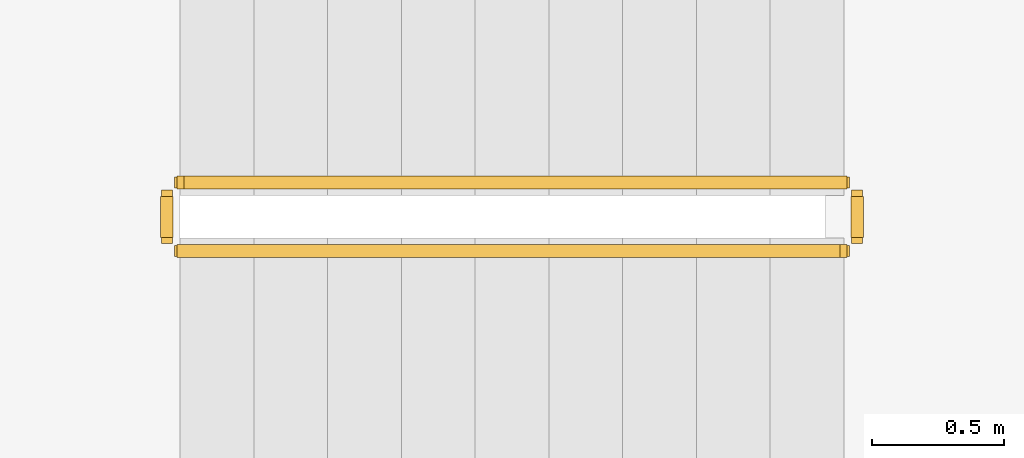
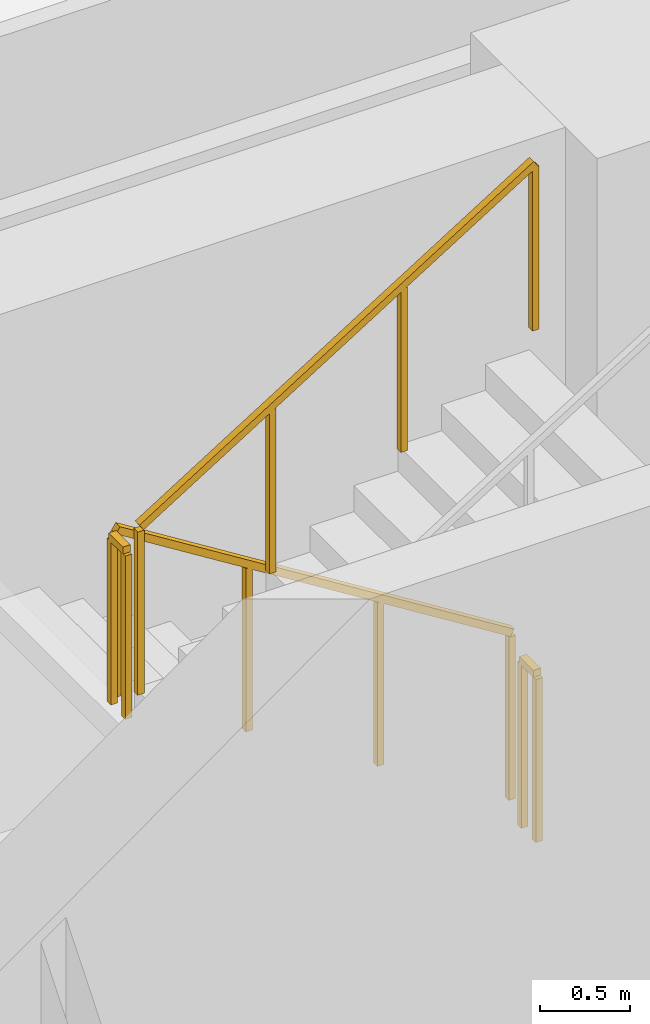
# One storey, part 12 of 14: 4 railings.
"""IFC4 building model written with IfcOpenShell, lengths in metres."""

from ifc_helpers import new_model, si_unit, direction, frame, origin, origin_2d, place, context, subcontext, project, spatial, rectangle, extrude, material, type_object, element, save


model = new_model("IFC4")

# Units and contexts
model_context = context("Model", 3, precision=1e-05, world=origin(), true_north=direction((0.0, 1.0)))
body_context = subcontext(model_context, "Body", "Model", "MODEL_VIEW")
ifc_project = project(units=[si_unit("LENGTHUNIT", "METRE"), si_unit("AREAUNIT", "SQUARE_METRE"), si_unit("VOLUMEUNIT", "CUBIC_METRE"), si_unit("PLANEANGLEUNIT", "RADIAN"), si_unit("MASSUNIT", "GRAM", prefix="KILO")], contexts=[model_context])

# Site, building, storey
site_placement = place(None, origin())
site = spatial("IfcSite", under=ifc_project, at=site_placement, CompositionType="ELEMENT")
building_placement = place(site_placement, origin())
building = spatial("IfcBuilding", under=site, at=building_placement, Name="Zarnavel Station Tower", CompositionType="ELEMENT")
storey_placement = place(building_placement, frame((0.0, 0.0, 60.5)))
storey = spatial("IfcBuildingStorey", under=building, at=storey_placement, Name="L16", CompositionType="ELEMENT", Elevation=60.5)

# Railings
ifc_material = material(Name="Painted Steel S355J2 Balustrade", Category="steel")
railing_type = type_object("IfcRailingType", Name="GR_INT_1150", PredefinedType="GUARDRAIL", material=ifc_material)
railing_1_placement = place(storey_placement, frame((19.47998046875, 35.3701171875, 0.175048828125)))
element("IfcRailing", 1, at=railing_1_placement, inside=storey, type_object=railing_type, Name="L16 ST1 stair guard 1", PredefinedType="GUARDRAIL", context=body_context, shape_type="SweptSolid", body=[
    extrude(rectangle(XDim=0.048095703125, YDim=0.048095703125, at=origin_2d()), frame((-0.001708984375, 0.0, 1.126953125), z_axis=(-0.848007534815, 0.0, 0.529984170421), x_axis=(0.0, -1.0, 0.0)), (0.0, 0.0, 1.0), 2.9677734375),
    extrude(rectangle(XDim=0.0419921875, YDim=0.0419921875, at=origin_2d()), origin(), (0.0, 0.0, 1.0), 1.101806640625),
    extrude(rectangle(XDim=0.0419921875, YDim=0.0419921875, at=origin_2d()), frame((-0.840087890625, 0.0, 0.52490234375)), (0.0, 0.0, 1.0), 1.101806640625),
    extrude(rectangle(XDim=0.0419921875, YDim=0.0419921875, at=origin_2d()), frame((-1.679931640625, 0.0, 1.050048828125)), (0.0, 0.0, 1.0), 1.101806640625),
    extrude(rectangle(XDim=0.0419921875, YDim=0.0419921875, at=origin_2d()), frame((-2.52001953125, 0.0, 1.574951171875)), (0.0, 0.0, 1.0), 1.101806640625),
])
railing_2_placement = place(storey_placement, frame((16.909912109375, 35.320068359375, 1.75)))
element("IfcRailing", 2, at=railing_2_placement, inside=storey, type_object=railing_type, Name="L16 ST1 stair guard 2", PredefinedType="GUARDRAIL", context=body_context, shape_type="SweptSolid", body=[
    extrude(rectangle(XDim=0.048095703125, YDim=0.048095703125, at=origin_2d()), frame((0.0, -0.001953125, 1.1259765625), z_axis=(0.0, -1.0, 0.0), x_axis=(1.0, 0.0, 0.0)), (0.0, 0.0, 1.0), 0.15625),
    extrude(rectangle(XDim=0.0419921875, YDim=0.0419921875, at=origin_2d()), origin(), (0.0, 0.0, 1.0), 1.101806640625),
    extrude(rectangle(XDim=0.0419921875, YDim=0.0419921875, at=origin_2d()), frame((0.0, -0.16015625, 0.0)), (0.0, 0.0, 1.0), 1.101806640625),
])
railing_3_placement = place(storey_placement, frame((16.9599609375, 35.110107421875, 1.925048828125)))
element("IfcRailing", 3, at=railing_3_placement, inside=storey, type_object=railing_type, Name="L16 ST1 stair guard 3", PredefinedType="GUARDRAIL", context=body_context, shape_type="SweptSolid", body=[
    extrude(rectangle(XDim=0.048095703125, YDim=0.048095703125, at=origin_2d()), frame((0.001708984375, 0.0, 1.126953125), z_axis=(0.848007534815, 0.0, 0.529984170421), x_axis=(0.0, 1.0, 0.0)), (0.0, 0.0, 1.0), 2.9677734375),
    extrude(rectangle(XDim=0.0419921875, YDim=0.0419921875, at=origin_2d()), origin(), (0.0, 0.0, 1.0), 1.101806640625),
    extrude(rectangle(XDim=0.0419921875, YDim=0.0419921875, at=origin_2d()), frame((0.840087890625, 0.0, 0.52490234375)), (0.0, 0.0, 1.0), 1.101806640625),
    extrude(rectangle(XDim=0.0419921875, YDim=0.0419921875, at=origin_2d()), frame((1.679931640625, 0.0, 1.050048828125)), (0.0, 0.0, 1.0), 1.101806640625),
    extrude(rectangle(XDim=0.0419921875, YDim=0.0419921875, at=origin_2d()), frame((2.52001953125, 0.0, 1.574951171875)), (0.0, 0.0, 1.0), 1.101806640625),
])
railing_4_placement = place(storey_placement, frame((19.530029296875, 35.320068359375, 0.0)))
element("IfcRailing", 4, at=railing_4_placement, inside=storey, type_object=railing_type, Name="L16 ST1 stair guard 4", PredefinedType="GUARDRAIL", context=body_context, shape_type="SweptSolid", body=[
    extrude(rectangle(XDim=0.048095703125, YDim=0.048095703125, at=origin_2d()), frame((0.0, -0.001953125, 1.1259765625), z_axis=(0.0, -1.0, 0.0), x_axis=(1.0, 0.0, 0.0)), (0.0, 0.0, 1.0), 0.15625),
    extrude(rectangle(XDim=0.0419921875, YDim=0.0419921875, at=origin_2d()), origin(), (0.0, 0.0, 1.0), 1.101806640625),
    extrude(rectangle(XDim=0.0419921875, YDim=0.0419921875, at=origin_2d()), frame((0.0, -0.16015625, 0.0)), (0.0, 0.0, 1.0), 1.101806640625),
])

save(model, "model.ifc")
